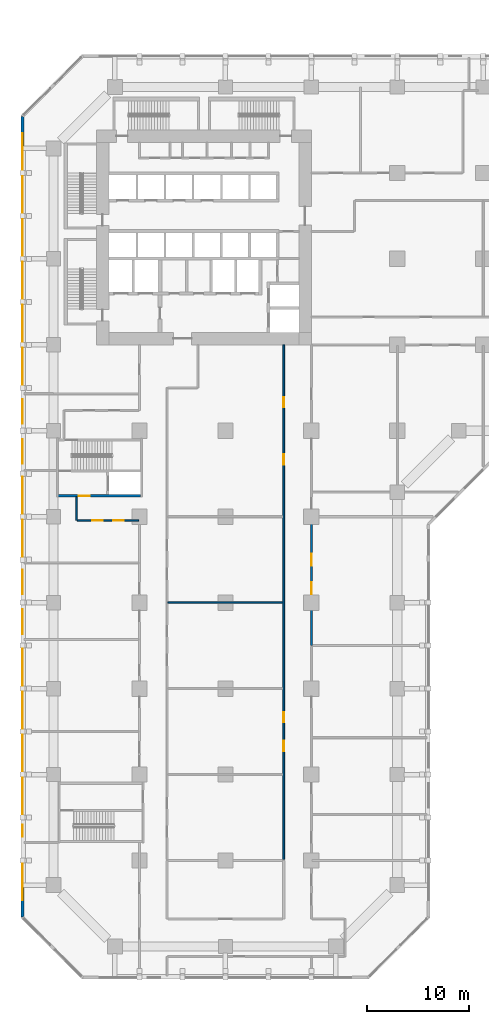
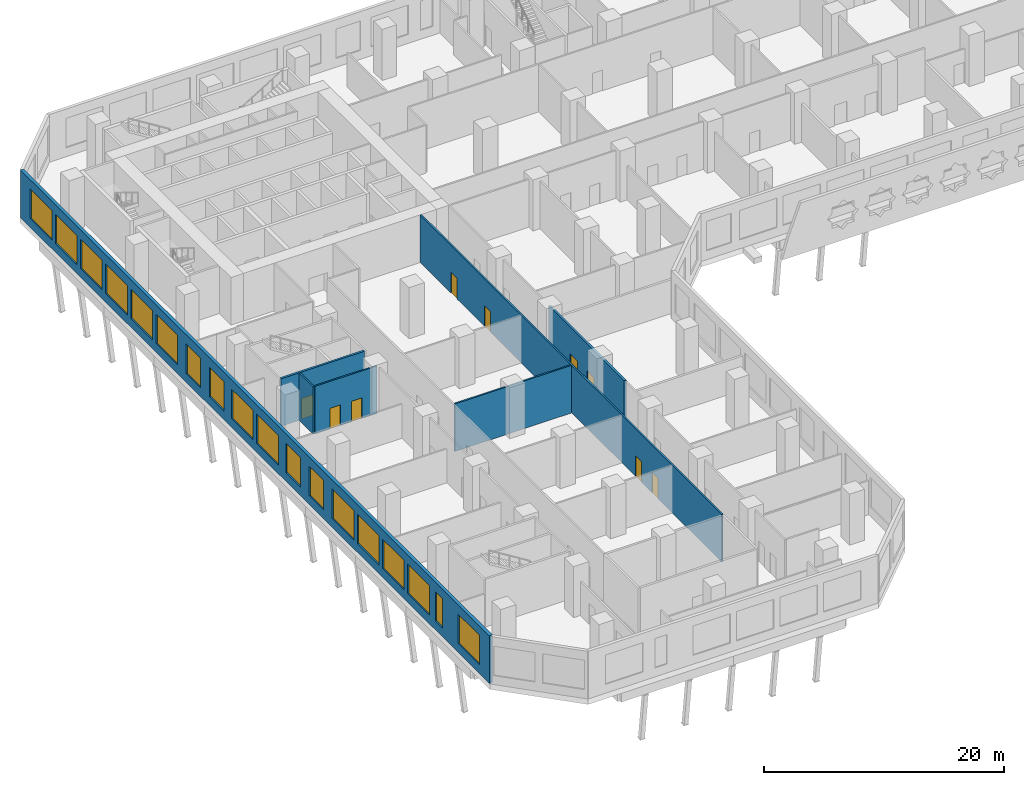
# One storey, part 5 of 21: 18 windows, 9 doors, 7 walls, 27 openings.
"""IFC4 building model written with IfcOpenShell, lengths in metres."""

from ifc_helpers import new_model, si_unit, direction, frame, frame_2d, origin, place, context, subcontext, project, spatial, rectangle, extrude, material, layer, layer_set, type_object, element, fill, save


model = new_model("IFC4")

# Units and contexts
model_context = context("Model", 3, precision=1e-05, world=origin(), true_north=direction((0.0, 1.0)))
body_context = subcontext(model_context, "Body", "Model", "MODEL_VIEW")
ifc_project = project(units=[si_unit("LENGTHUNIT", "METRE"), si_unit("AREAUNIT", "SQUARE_METRE"), si_unit("VOLUMEUNIT", "CUBIC_METRE"), si_unit("PLANEANGLEUNIT", "RADIAN"), si_unit("MASSUNIT", "GRAM", prefix="KILO")], contexts=[model_context])

# Site, building, storey
site_placement = place(None, origin())
site = spatial("IfcSite", under=ifc_project, at=site_placement, CompositionType="ELEMENT")
building_placement = place(site_placement, origin())
building = spatial("IfcBuilding", under=site, at=building_placement, Name="Kawkab Arch Medical Tower", CompositionType="ELEMENT")
storey_placement = place(building_placement, frame((0.0, 0.0, 23.800048828125)))
storey = spatial("IfcBuildingStorey", under=building, at=storey_placement, Name="L05", CompositionType="ELEMENT", Elevation=23.800048828125)

# Wall
ifc_material_1 = material(Name="Gypsum board partition on steel studs, mineral wool", Category="steel")
ifc_layer_1 = layer(ifc_material_1, 0.14990234375)
ifc_layer_set_1 = layer_set([ifc_layer_1], Name="Gypsum board partition on steel studs, mineral wool")
wall_type_1 = type_object("IfcWallType", Name="Partition 150", PredefinedType="PARTITIONING", material=ifc_layer_set_1)
wall_1_placement = place(storey_placement, frame((11.175048828125, -50.39990234375, 0.0), z_axis=(0.0, 0.0, 1.0), x_axis=(1.0, 0.0, 0.0)))
element("IfcWall", 1, at=wall_1_placement, inside=storey, type_object=wall_type_1, Name="Partition 150 w011", PredefinedType="PARTITIONING", context=body_context, shape_type="SweptSolid", body=[
    extrude(rectangle(XDim=11.25, YDim=0.14990234375, at=frame_2d((5.625, 0.0))), origin(), (0.0, 0.0, 1.0), 4.849853515625),
])

# Wall, openings, doors
wall_2_placement = place(storey_placement, frame((2.325927734375, -42.35009765625, 0.0), z_axis=(0.0, 0.0, 1.0), x_axis=(1.0, 0.0, 0.0)))
wall_2 = element("IfcWall", 2, at=wall_2_placement, inside=storey, type_object=wall_type_1, Name="Partition 150 w013", PredefinedType="PARTITIONING", context=body_context, shape_type="SweptSolid", body=[
    extrude(rectangle(XDim=5.9990234375, YDim=0.14990234375, at=frame_2d((2.99951171875, 0.0))), origin(), (0.0, 0.0, 1.0), 4.849853515625),
])
opening_1_placement = place(wall_2_placement, frame((3.52392578125, 0.0, 0.0)))
opening_1 = element("IfcOpeningElement", 3, at=opening_1_placement, cuts=wall_2, Name="Opening P05-034", PredefinedType="OPENING", context=body_context, shape_type="SweptSolid", body=[
    extrude(rectangle(XDim=1.0, YDim=2.10009765625, at=frame_2d((0.5, 1.050048828125))), frame((0.0, 0.0849609375, 0.0), z_axis=(0.0, -1.0, 0.0), x_axis=(1.0, 0.0, 0.0)), (0.0, 0.0, 1.0), 0.169921875),
])
opening_2_placement = place(wall_2_placement, frame((1.47509765625, 0.0, 0.0)))
opening_2 = element("IfcOpeningElement", 4, at=opening_2_placement, cuts=wall_2, Name="Opening P05-035", PredefinedType="OPENING", context=body_context, shape_type="SweptSolid", body=[
    extrude(rectangle(XDim=1.0, YDim=2.10009765625, at=frame_2d((0.5, 1.050048828125))), frame((0.0, 0.0849609375, 0.0), z_axis=(0.0, -1.0, 0.0), x_axis=(1.0, 0.0, 0.0)), (0.0, 0.0, 1.0), 0.169921875),
])
ifc_material_2 = material(Name="Hollow metal door leaf")
door_type_1 = type_object("IfcDoorType", Name="Single door 1000x2100 FD30S", OperationType="NOTDEFINED", PredefinedType="DOOR", material=ifc_material_2)
door_1_placement = place(opening_1_placement, origin())
door_1 = element("IfcDoor", 5, at=door_1_placement, inside=storey, type_object=door_type_1, Name="Door P05-034", OperationType="SINGLE_SWING_LEFT", OverallHeight=2.10009765625, OverallWidth=1.0, PredefinedType="DOOR", context=body_context, shape_type="SweptSolid", body=[
    extrude(rectangle(XDim=1.0, YDim=2.10009765625, at=frame_2d((0.5, 1.050048828125))), frame((0.0, 0.02490234375, 0.0), z_axis=(0.0, -1.0, 0.0), x_axis=(1.0, 0.0, 0.0)), (0.0, 0.0, 1.0), 0.050048828125),
])
fill(opening_1, door_1)
door_2_placement = place(opening_2_placement, origin())
door_2 = element("IfcDoor", 6, at=door_2_placement, inside=storey, type_object=door_type_1, Name="Door P05-035", OperationType="SINGLE_SWING_RIGHT", OverallHeight=2.10009765625, OverallWidth=1.0, PredefinedType="DOOR", context=body_context, shape_type="SweptSolid", body=[
    extrude(rectangle(XDim=1.0, YDim=2.10009765625, at=frame_2d((0.5, 1.050048828125))), frame((0.0, 0.02490234375, 0.0), z_axis=(0.0, -1.0, 0.0), x_axis=(1.0, 0.0, 0.0)), (0.0, 0.0, 1.0), 0.050048828125),
])
fill(opening_2, door_2)

# Wall
wall_3_placement = place(storey_placement, frame((2.25, -42.347900390625, 0.0), z_axis=(0.0, 0.0, 1.0), x_axis=(0.0, 1.0, 0.0)))
element("IfcWall", 7, at=wall_3_placement, inside=storey, type_object=wall_type_1, Name="Partition 150 w035", PredefinedType="PARTITIONING", context=body_context, shape_type="SweptSolid", body=[
    extrude(rectangle(XDim=2.2978515625, YDim=0.14990234375, at=frame_2d((1.14892578125, 0.0))), origin(), (0.0, 0.0, 1.0), 4.849853515625),
])

# Wall, openings, doors
wall_4_placement = place(storey_placement, frame((22.5, -75.5, 0.0), z_axis=(0.0, 0.0, 1.0), x_axis=(0.0, 1.0, 0.0)))
wall_4 = element("IfcWall", 8, at=wall_4_placement, inside=storey, type_object=wall_type_1, Name="Partition 150 w042", PredefinedType="PARTITIONING", context=body_context, shape_type="SweptSolid", body=[
    extrude(rectangle(XDim=50.300048828125, YDim=0.14990234375, at=frame_2d((25.14990234375, 0.0))), origin(), (0.0, 0.0, 1.0), 4.849853515625),
])
opening_3_placement = place(wall_4_placement, frame((38.60009765625, 0.0, 0.0)))
opening_3 = element("IfcOpeningElement", 9, at=opening_3_placement, cuts=wall_4, Name="Opening P05-044", PredefinedType="OPENING", context=body_context, shape_type="SweptSolid", body=[
    extrude(rectangle(XDim=1.0, YDim=2.10009765625, at=frame_2d((0.5, 1.050048828125))), frame((0.0, 0.0849609375, 0.0), z_axis=(0.0, -1.0, 0.0), x_axis=(1.0, 0.0, 0.0)), (0.0, 0.0, 1.0), 0.169921875),
])
opening_4_placement = place(wall_4_placement, frame((44.199951171875, 0.0, 0.0)))
opening_4 = element("IfcOpeningElement", 10, at=opening_4_placement, cuts=wall_4, Name="Opening P05-045", PredefinedType="OPENING", context=body_context, shape_type="SweptSolid", body=[
    extrude(rectangle(XDim=1.0, YDim=2.10009765625, at=frame_2d((0.5, 1.050048828125))), frame((0.0, 0.0849609375, 0.0), z_axis=(0.0, -1.0, 0.0), x_axis=(1.0, 0.0, 0.0)), (0.0, 0.0, 1.0), 0.169921875),
])
opening_5_placement = place(wall_4_placement, frame((10.60009765625, 0.0, 0.0)))
opening_5 = element("IfcOpeningElement", 11, at=opening_5_placement, cuts=wall_4, Name="Opening P05-050", PredefinedType="OPENING", context=body_context, shape_type="SweptSolid", body=[
    extrude(rectangle(XDim=1.0, YDim=2.10009765625, at=frame_2d((0.5, 1.050048828125))), frame((0.0, 0.0849609375, 0.0), z_axis=(0.0, -1.0, 0.0), x_axis=(1.0, 0.0, 0.0)), (0.0, 0.0, 1.0), 0.169921875),
])
opening_6_placement = place(wall_4_placement, frame((13.39990234375, 0.0, 0.0)))
opening_6 = element("IfcOpeningElement", 12, at=opening_6_placement, cuts=wall_4, Name="Opening P05-051", PredefinedType="OPENING", context=body_context, shape_type="SweptSolid", body=[
    extrude(rectangle(XDim=1.0, YDim=2.10009765625, at=frame_2d((0.5, 1.050048828125))), frame((0.0, 0.0849609375, 0.0), z_axis=(0.0, -1.0, 0.0), x_axis=(1.0, 0.0, 0.0)), (0.0, 0.0, 1.0), 0.169921875),
])
door_3_placement = place(opening_3_placement, origin())
door_3 = element("IfcDoor", 13, at=door_3_placement, inside=storey, type_object=door_type_1, Name="Door P05-044", OperationType="SINGLE_SWING_RIGHT", OverallHeight=2.10009765625, OverallWidth=1.0, PredefinedType="DOOR", context=body_context, shape_type="SweptSolid", body=[
    extrude(rectangle(XDim=1.0, YDim=2.10009765625, at=frame_2d((0.5, 1.050048828125))), frame((0.0, 0.02490234375, 0.0), z_axis=(0.0, -1.0, 0.0), x_axis=(1.0, 0.0, 0.0)), (0.0, 0.0, 1.0), 0.050048828125),
])
fill(opening_3, door_3)
door_4_placement = place(opening_4_placement, origin())
door_4 = element("IfcDoor", 14, at=door_4_placement, inside=storey, type_object=door_type_1, Name="Door P05-045", OperationType="SINGLE_SWING_RIGHT", OverallHeight=2.10009765625, OverallWidth=1.0, PredefinedType="DOOR", context=body_context, shape_type="SweptSolid", body=[
    extrude(rectangle(XDim=1.0, YDim=2.10009765625, at=frame_2d((0.5, 1.050048828125))), frame((0.0, 0.02490234375, 0.0), z_axis=(0.0, -1.0, 0.0), x_axis=(1.0, 0.0, 0.0)), (0.0, 0.0, 1.0), 0.050048828125),
])
fill(opening_4, door_4)
door_5_placement = place(opening_5_placement, origin())
door_5 = element("IfcDoor", 15, at=door_5_placement, inside=storey, type_object=door_type_1, Name="Door P05-050", OperationType="SINGLE_SWING_LEFT", OverallHeight=2.10009765625, OverallWidth=1.0, PredefinedType="DOOR", context=body_context, shape_type="SweptSolid", body=[
    extrude(rectangle(XDim=1.0, YDim=2.10009765625, at=frame_2d((0.5, 1.050048828125))), frame((0.0, 0.02490234375, 0.0), z_axis=(0.0, -1.0, 0.0), x_axis=(1.0, 0.0, 0.0)), (0.0, 0.0, 1.0), 0.050048828125),
])
fill(opening_5, door_5)
door_6_placement = place(opening_6_placement, origin())
door_6 = element("IfcDoor", 16, at=door_6_placement, inside=storey, type_object=door_type_1, Name="Door P05-051", OperationType="SINGLE_SWING_LEFT", OverallHeight=2.10009765625, OverallWidth=1.0, PredefinedType="DOOR", context=body_context, shape_type="SweptSolid", body=[
    extrude(rectangle(XDim=1.0, YDim=2.10009765625, at=frame_2d((0.5, 1.050048828125))), frame((0.0, 0.02490234375, 0.0), z_axis=(0.0, -1.0, 0.0), x_axis=(1.0, 0.0, 0.0)), (0.0, 0.0, 1.0), 0.050048828125),
])
fill(opening_6, door_6)

# Wall, openings, windows
ifc_material_3 = material(Name="Bronze clad insulated wall panel")
ifc_layer_2 = layer(ifc_material_3, 0.300048828125)
ifc_layer_set_2 = layer_set([ifc_layer_2], Name="Bronze clad insulated wall panel")
wall_type_2 = type_object("IfcWallType", Name="Podium external wall 300", PredefinedType="SOLIDWALL", material=ifc_layer_set_2)
wall_5_placement = place(storey_placement, frame((-3.050048828125, -2.862060546875, 0.0), z_axis=(0.0, 0.0, 1.0), x_axis=(0.0, -1.0, 0.0)))
wall_5 = element("IfcWall", 17, at=wall_5_placement, inside=storey, type_object=wall_type_2, Name="Podium external wall L05 R02", PredefinedType="SOLIDWALL", context=body_context, shape_type="SweptSolid", body=[
    extrude(rectangle(XDim=78.27587890625, YDim=0.300048828125, at=frame_2d((39.137939453125, 0.0))), origin(), (0.0, 0.0, 1.0), 4.849853515625),
])
opening_7_placement = place(wall_5_placement, frame((1.637939453125, 0.0, 0.89990234375)))
opening_7 = element("IfcOpeningElement", 18, at=opening_7_placement, cuts=wall_5, Name="Opening PBW360-30-S9", PredefinedType="OPENING", context=body_context, shape_type="SweptSolid", body=[
    extrude(rectangle(XDim=3.60009765625, YDim=3.0, at=frame_2d((1.800048828125, 1.5))), frame((0.0, 0.159912109375, 0.0), z_axis=(0.0, -1.0, 0.0), x_axis=(1.0, 0.0, 0.0)), (0.0, 0.0, 1.0), 0.320068359375),
])
opening_8_placement = place(wall_5_placement, frame((5.837890625, 0.0, 0.89990234375)))
opening_8 = element("IfcOpeningElement", 19, at=opening_8_placement, cuts=wall_5, Name="Opening PBW360-30-S9", PredefinedType="OPENING", context=body_context, shape_type="SweptSolid", body=[
    extrude(rectangle(XDim=3.60009765625, YDim=3.0, at=frame_2d((1.800048828125, 1.5))), frame((0.0, 0.159912109375, 0.0), z_axis=(0.0, -1.0, 0.0), x_axis=(1.0, 0.0, 0.0)), (0.0, 0.0, 1.0), 0.320068359375),
])
opening_9_placement = place(wall_5_placement, frame((10.037841796875, 0.0, 0.89990234375)))
opening_9 = element("IfcOpeningElement", 20, at=opening_9_placement, cuts=wall_5, Name="Opening PBW360-30-S9", PredefinedType="OPENING", context=body_context, shape_type="SweptSolid", body=[
    extrude(rectangle(XDim=3.60009765625, YDim=3.0, at=frame_2d((1.800048828125, 1.5))), frame((0.0, 0.159912109375, 0.0), z_axis=(0.0, -1.0, 0.0), x_axis=(1.0, 0.0, 0.0)), (0.0, 0.0, 1.0), 0.320068359375),
])
opening_10_placement = place(wall_5_placement, frame((14.23779296875, 0.0, 0.89990234375)))
opening_10 = element("IfcOpeningElement", 21, at=opening_10_placement, cuts=wall_5, Name="Opening PBW360-30-S9", PredefinedType="OPENING", context=body_context, shape_type="SweptSolid", body=[
    extrude(rectangle(XDim=3.60009765625, YDim=3.0, at=frame_2d((1.800048828125, 1.5))), frame((0.0, 0.159912109375, 0.0), z_axis=(0.0, -1.0, 0.0), x_axis=(1.0, 0.0, 0.0)), (0.0, 0.0, 1.0), 0.320068359375),
])
opening_11_placement = place(wall_5_placement, frame((18.43798828125, 0.0, 0.89990234375)))
opening_11 = element("IfcOpeningElement", 22, at=opening_11_placement, cuts=wall_5, Name="Opening PBW360-30-S9", PredefinedType="OPENING", context=body_context, shape_type="SweptSolid", body=[
    extrude(rectangle(XDim=3.60009765625, YDim=3.0, at=frame_2d((1.800048828125, 1.5))), frame((0.0, 0.159912109375, 0.0), z_axis=(0.0, -1.0, 0.0), x_axis=(1.0, 0.0, 0.0)), (0.0, 0.0, 1.0), 0.320068359375),
])
opening_12_placement = place(wall_5_placement, frame((22.637939453125, 0.0, 0.89990234375)))
opening_12 = element("IfcOpeningElement", 23, at=opening_12_placement, cuts=wall_5, Name="Opening PBW360-30-S9", PredefinedType="OPENING", context=body_context, shape_type="SweptSolid", body=[
    extrude(rectangle(XDim=3.60009765625, YDim=3.0, at=frame_2d((1.800048828125, 1.5))), frame((0.0, 0.159912109375, 0.0), z_axis=(0.0, -1.0, 0.0), x_axis=(1.0, 0.0, 0.0)), (0.0, 0.0, 1.0), 0.320068359375),
])
opening_13_placement = place(wall_5_placement, frame((27.65283203125, 0.0, 0.89990234375)))
opening_13 = element("IfcOpeningElement", 24, at=opening_13_placement, cuts=wall_5, Name="Opening PBW240-30-S9", PredefinedType="OPENING", context=body_context, shape_type="SweptSolid", body=[
    extrude(rectangle(XDim=2.39990234375, YDim=3.0, at=frame_2d((1.199951171875, 1.5))), frame((0.0, 0.159912109375, 0.0), z_axis=(0.0, -1.0, 0.0), x_axis=(1.0, 0.0, 0.0)), (0.0, 0.0, 1.0), 0.320068359375),
])
opening_14_placement = place(wall_5_placement, frame((31.552978515625, 0.0, 0.89990234375)))
opening_14 = element("IfcOpeningElement", 25, at=opening_14_placement, cuts=wall_5, Name="Opening PBW240-30-S9", PredefinedType="OPENING", context=body_context, shape_type="SweptSolid", body=[
    extrude(rectangle(XDim=2.39990234375, YDim=3.0, at=frame_2d((1.199951171875, 1.5))), frame((0.0, 0.159912109375, 0.0), z_axis=(0.0, -1.0, 0.0), x_axis=(1.0, 0.0, 0.0)), (0.0, 0.0, 1.0), 0.320068359375),
])
opening_15_placement = place(wall_5_placement, frame((35.23779296875, 0.0, 0.89990234375)))
opening_15 = element("IfcOpeningElement", 26, at=opening_15_placement, cuts=wall_5, Name="Opening PBW360-30-S9", PredefinedType="OPENING", context=body_context, shape_type="SweptSolid", body=[
    extrude(rectangle(XDim=3.60009765625, YDim=3.0, at=frame_2d((1.800048828125, 1.5))), frame((0.0, 0.159912109375, 0.0), z_axis=(0.0, -1.0, 0.0), x_axis=(1.0, 0.0, 0.0)), (0.0, 0.0, 1.0), 0.320068359375),
])
opening_16_placement = place(wall_5_placement, frame((39.43798828125, 0.0, 0.89990234375)))
opening_16 = element("IfcOpeningElement", 27, at=opening_16_placement, cuts=wall_5, Name="Opening PBW360-30-S9", PredefinedType="OPENING", context=body_context, shape_type="SweptSolid", body=[
    extrude(rectangle(XDim=3.60009765625, YDim=3.0, at=frame_2d((1.800048828125, 1.5))), frame((0.0, 0.159912109375, 0.0), z_axis=(0.0, -1.0, 0.0), x_axis=(1.0, 0.0, 0.0)), (0.0, 0.0, 1.0), 0.320068359375),
])
opening_17_placement = place(wall_5_placement, frame((44.322998046875, 0.0, 0.89990234375)))
opening_17 = element("IfcOpeningElement", 28, at=opening_17_placement, cuts=wall_5, Name="Opening PBW240-30-S9", PredefinedType="OPENING", context=body_context, shape_type="SweptSolid", body=[
    extrude(rectangle(XDim=2.39990234375, YDim=3.0, at=frame_2d((1.199951171875, 1.5))), frame((0.0, 0.159912109375, 0.0), z_axis=(0.0, -1.0, 0.0), x_axis=(1.0, 0.0, 0.0)), (0.0, 0.0, 1.0), 0.320068359375),
])
opening_18_placement = place(wall_5_placement, frame((48.202880859375, 0.0, 0.89990234375)))
opening_18 = element("IfcOpeningElement", 29, at=opening_18_placement, cuts=wall_5, Name="Opening PBW240-30-S9", PredefinedType="OPENING", context=body_context, shape_type="SweptSolid", body=[
    extrude(rectangle(XDim=2.39990234375, YDim=3.0, at=frame_2d((1.199951171875, 1.5))), frame((0.0, 0.159912109375, 0.0), z_axis=(0.0, -1.0, 0.0), x_axis=(1.0, 0.0, 0.0)), (0.0, 0.0, 1.0), 0.320068359375),
])
opening_19_placement = place(wall_5_placement, frame((52.037841796875, 0.0, 0.89990234375)))
opening_19 = element("IfcOpeningElement", 30, at=opening_19_placement, cuts=wall_5, Name="Opening PBW360-30-S9", PredefinedType="OPENING", context=body_context, shape_type="SweptSolid", body=[
    extrude(rectangle(XDim=3.60009765625, YDim=3.0, at=frame_2d((1.800048828125, 1.5))), frame((0.0, 0.159912109375, 0.0), z_axis=(0.0, -1.0, 0.0), x_axis=(1.0, 0.0, 0.0)), (0.0, 0.0, 1.0), 0.320068359375),
])
opening_20_placement = place(wall_5_placement, frame((56.23779296875, 0.0, 0.89990234375)))
opening_20 = element("IfcOpeningElement", 31, at=opening_20_placement, cuts=wall_5, Name="Opening PBW360-30-S9", PredefinedType="OPENING", context=body_context, shape_type="SweptSolid", body=[
    extrude(rectangle(XDim=3.60009765625, YDim=3.0, at=frame_2d((1.800048828125, 1.5))), frame((0.0, 0.159912109375, 0.0), z_axis=(0.0, -1.0, 0.0), x_axis=(1.0, 0.0, 0.0)), (0.0, 0.0, 1.0), 0.320068359375),
])
opening_21_placement = place(wall_5_placement, frame((60.43798828125, 0.0, 0.89990234375)))
opening_21 = element("IfcOpeningElement", 32, at=opening_21_placement, cuts=wall_5, Name="Opening PBW360-30-S9", PredefinedType="OPENING", context=body_context, shape_type="SweptSolid", body=[
    extrude(rectangle(XDim=3.60009765625, YDim=3.0, at=frame_2d((1.800048828125, 1.5))), frame((0.0, 0.159912109375, 0.0), z_axis=(0.0, -1.0, 0.0), x_axis=(1.0, 0.0, 0.0)), (0.0, 0.0, 1.0), 0.320068359375),
])
opening_22_placement = place(wall_5_placement, frame((64.637939453125, 0.0, 0.89990234375)))
opening_22 = element("IfcOpeningElement", 33, at=opening_22_placement, cuts=wall_5, Name="Opening PBW360-30-S9", PredefinedType="OPENING", context=body_context, shape_type="SweptSolid", body=[
    extrude(rectangle(XDim=3.60009765625, YDim=3.0, at=frame_2d((1.800048828125, 1.5))), frame((0.0, 0.159912109375, 0.0), z_axis=(0.0, -1.0, 0.0), x_axis=(1.0, 0.0, 0.0)), (0.0, 0.0, 1.0), 0.320068359375),
])
opening_23_placement = place(wall_5_placement, frame((69.23779296875, 0.0, 0.89990234375)))
opening_23 = element("IfcOpeningElement", 34, at=opening_23_placement, cuts=wall_5, Name="Opening PBW120-30-S9", PredefinedType="OPENING", context=body_context, shape_type="SweptSolid", body=[
    extrude(rectangle(XDim=1.199951171875, YDim=3.0, at=frame_2d((0.60009765625, 1.5))), frame((0.0, 0.159912109375, 0.0), z_axis=(0.0, -1.0, 0.0), x_axis=(1.0, 0.0, 0.0)), (0.0, 0.0, 1.0), 0.320068359375),
])
opening_24_placement = place(wall_5_placement, frame((73.037841796875, 0.0, 0.89990234375)))
opening_24 = element("IfcOpeningElement", 35, at=opening_24_placement, cuts=wall_5, Name="Opening PBW360-30-S9", PredefinedType="OPENING", context=body_context, shape_type="SweptSolid", body=[
    extrude(rectangle(XDim=3.60009765625, YDim=3.0, at=frame_2d((1.800048828125, 1.5))), frame((0.0, 0.159912109375, 0.0), z_axis=(0.0, -1.0, 0.0), x_axis=(1.0, 0.0, 0.0)), (0.0, 0.0, 1.0), 0.320068359375),
])
ifc_material_4 = material(Name="Bronze anodised aluminium louvred window", Category="aluminium")
window_type_1 = type_object("IfcWindowType", Name="Podium band window 1200 x 3000 sill 900", PartitioningType="DOUBLE_PANEL_VERTICAL", PredefinedType="WINDOW", material=ifc_material_4)
window_1_placement = place(opening_23_placement, origin())
window_1 = element("IfcWindow", 36, at=window_1_placement, inside=storey, type_object=window_type_1, Name="Band window L05 R02.17", OverallHeight=3.0, OverallWidth=1.199951171875, PartitioningType="SINGLE_PANEL", PredefinedType="WINDOW", context=body_context, shape_type="SweptSolid", body=[
    extrude(rectangle(XDim=1.199951171875, YDim=3.0, at=frame_2d((0.60009765625, 1.5))), frame((0.0, 0.030029296875, 0.0), z_axis=(0.0, -1.0, 0.0), x_axis=(1.0, 0.0, 0.0)), (0.0, 0.0, 1.0), 0.06005859375),
])
fill(opening_23, window_1)
ifc_material_5 = material(Name="Bronze anodised aluminium louvred window", Category="aluminium")
window_type_2 = type_object("IfcWindowType", Name="Podium band window 2400 x 3000 sill 900", PartitioningType="DOUBLE_PANEL_VERTICAL", PredefinedType="WINDOW", material=ifc_material_5)
window_2_placement = place(opening_13_placement, origin())
window_2 = element("IfcWindow", 37, at=window_2_placement, inside=storey, type_object=window_type_2, Name="Band window L05 R02.7", OverallHeight=3.0, OverallWidth=2.39990234375, PartitioningType="SINGLE_PANEL", PredefinedType="WINDOW", context=body_context, shape_type="SweptSolid", body=[
    extrude(rectangle(XDim=2.39990234375, YDim=3.0, at=frame_2d((1.199951171875, 1.5))), frame((0.0, 0.030029296875, 0.0), z_axis=(0.0, -1.0, 0.0), x_axis=(1.0, 0.0, 0.0)), (0.0, 0.0, 1.0), 0.06005859375),
])
fill(opening_13, window_2)
window_3_placement = place(opening_14_placement, origin())
window_3 = element("IfcWindow", 38, at=window_3_placement, inside=storey, type_object=window_type_2, Name="Band window L05 R02.8", OverallHeight=3.0, OverallWidth=2.39990234375, PartitioningType="SINGLE_PANEL", PredefinedType="WINDOW", context=body_context, shape_type="SweptSolid", body=[
    extrude(rectangle(XDim=2.39990234375, YDim=3.0, at=frame_2d((1.199951171875, 1.5))), frame((0.0, 0.030029296875, 0.0), z_axis=(0.0, -1.0, 0.0), x_axis=(1.0, 0.0, 0.0)), (0.0, 0.0, 1.0), 0.06005859375),
])
fill(opening_14, window_3)
window_4_placement = place(opening_17_placement, origin())
window_4 = element("IfcWindow", 39, at=window_4_placement, inside=storey, type_object=window_type_2, Name="Band window L05 R02.11", OverallHeight=3.0, OverallWidth=2.39990234375, PartitioningType="SINGLE_PANEL", PredefinedType="WINDOW", context=body_context, shape_type="SweptSolid", body=[
    extrude(rectangle(XDim=2.39990234375, YDim=3.0, at=frame_2d((1.199951171875, 1.5))), frame((0.0, 0.030029296875, 0.0), z_axis=(0.0, -1.0, 0.0), x_axis=(1.0, 0.0, 0.0)), (0.0, 0.0, 1.0), 0.06005859375),
])
fill(opening_17, window_4)
window_5_placement = place(opening_18_placement, origin())
window_5 = element("IfcWindow", 40, at=window_5_placement, inside=storey, type_object=window_type_2, Name="Band window L05 R02.12", OverallHeight=3.0, OverallWidth=2.39990234375, PartitioningType="SINGLE_PANEL", PredefinedType="WINDOW", context=body_context, shape_type="SweptSolid", body=[
    extrude(rectangle(XDim=2.39990234375, YDim=3.0, at=frame_2d((1.199951171875, 1.5))), frame((0.0, 0.030029296875, 0.0), z_axis=(0.0, -1.0, 0.0), x_axis=(1.0, 0.0, 0.0)), (0.0, 0.0, 1.0), 0.06005859375),
])
fill(opening_18, window_5)
ifc_material_6 = material(Name="Bronze anodised aluminium louvred window", Category="aluminium")
window_type_3 = type_object("IfcWindowType", Name="Podium band window 3600 x 3000 sill 900", PartitioningType="DOUBLE_PANEL_VERTICAL", PredefinedType="WINDOW", material=ifc_material_6)
window_6_placement = place(opening_7_placement, origin())
window_6 = element("IfcWindow", 41, at=window_6_placement, inside=storey, type_object=window_type_3, Name="Band window L05 R02.1", OverallHeight=3.0, OverallWidth=3.60009765625, PartitioningType="SINGLE_PANEL", PredefinedType="WINDOW", context=body_context, shape_type="SweptSolid", body=[
    extrude(rectangle(XDim=3.60009765625, YDim=3.0, at=frame_2d((1.800048828125, 1.5))), frame((0.0, 0.030029296875, 0.0), z_axis=(0.0, -1.0, 0.0), x_axis=(1.0, 0.0, 0.0)), (0.0, 0.0, 1.0), 0.06005859375),
])
fill(opening_7, window_6)
window_7_placement = place(opening_8_placement, origin())
window_7 = element("IfcWindow", 42, at=window_7_placement, inside=storey, type_object=window_type_3, Name="Band window L05 R02.2", OverallHeight=3.0, OverallWidth=3.60009765625, PartitioningType="SINGLE_PANEL", PredefinedType="WINDOW", context=body_context, shape_type="SweptSolid", body=[
    extrude(rectangle(XDim=3.60009765625, YDim=3.0, at=frame_2d((1.800048828125, 1.5))), frame((0.0, 0.030029296875, 0.0), z_axis=(0.0, -1.0, 0.0), x_axis=(1.0, 0.0, 0.0)), (0.0, 0.0, 1.0), 0.06005859375),
])
fill(opening_8, window_7)
window_8_placement = place(opening_9_placement, origin())
window_8 = element("IfcWindow", 43, at=window_8_placement, inside=storey, type_object=window_type_3, Name="Band window L05 R02.3", OverallHeight=3.0, OverallWidth=3.60009765625, PartitioningType="SINGLE_PANEL", PredefinedType="WINDOW", context=body_context, shape_type="SweptSolid", body=[
    extrude(rectangle(XDim=3.60009765625, YDim=3.0, at=frame_2d((1.800048828125, 1.5))), frame((0.0, 0.030029296875, 0.0), z_axis=(0.0, -1.0, 0.0), x_axis=(1.0, 0.0, 0.0)), (0.0, 0.0, 1.0), 0.06005859375),
])
fill(opening_9, window_8)
window_9_placement = place(opening_10_placement, origin())
window_9 = element("IfcWindow", 44, at=window_9_placement, inside=storey, type_object=window_type_3, Name="Band window L05 R02.4", OverallHeight=3.0, OverallWidth=3.60009765625, PartitioningType="SINGLE_PANEL", PredefinedType="WINDOW", context=body_context, shape_type="SweptSolid", body=[
    extrude(rectangle(XDim=3.60009765625, YDim=3.0, at=frame_2d((1.800048828125, 1.5))), frame((0.0, 0.030029296875, 0.0), z_axis=(0.0, -1.0, 0.0), x_axis=(1.0, 0.0, 0.0)), (0.0, 0.0, 1.0), 0.06005859375),
])
fill(opening_10, window_9)
window_10_placement = place(opening_11_placement, origin())
window_10 = element("IfcWindow", 45, at=window_10_placement, inside=storey, type_object=window_type_3, Name="Band window L05 R02.5", OverallHeight=3.0, OverallWidth=3.60009765625, PartitioningType="SINGLE_PANEL", PredefinedType="WINDOW", context=body_context, shape_type="SweptSolid", body=[
    extrude(rectangle(XDim=3.60009765625, YDim=3.0, at=frame_2d((1.800048828125, 1.5))), frame((0.0, 0.030029296875, 0.0), z_axis=(0.0, -1.0, 0.0), x_axis=(1.0, 0.0, 0.0)), (0.0, 0.0, 1.0), 0.06005859375),
])
fill(opening_11, window_10)
window_11_placement = place(opening_12_placement, origin())
window_11 = element("IfcWindow", 46, at=window_11_placement, inside=storey, type_object=window_type_3, Name="Band window L05 R02.6", OverallHeight=3.0, OverallWidth=3.60009765625, PartitioningType="SINGLE_PANEL", PredefinedType="WINDOW", context=body_context, shape_type="SweptSolid", body=[
    extrude(rectangle(XDim=3.60009765625, YDim=3.0, at=frame_2d((1.800048828125, 1.5))), frame((0.0, 0.030029296875, 0.0), z_axis=(0.0, -1.0, 0.0), x_axis=(1.0, 0.0, 0.0)), (0.0, 0.0, 1.0), 0.06005859375),
])
fill(opening_12, window_11)
window_12_placement = place(opening_15_placement, origin())
window_12 = element("IfcWindow", 47, at=window_12_placement, inside=storey, type_object=window_type_3, Name="Band window L05 R02.9", OverallHeight=3.0, OverallWidth=3.60009765625, PartitioningType="SINGLE_PANEL", PredefinedType="WINDOW", context=body_context, shape_type="SweptSolid", body=[
    extrude(rectangle(XDim=3.60009765625, YDim=3.0, at=frame_2d((1.800048828125, 1.5))), frame((0.0, 0.030029296875, 0.0), z_axis=(0.0, -1.0, 0.0), x_axis=(1.0, 0.0, 0.0)), (0.0, 0.0, 1.0), 0.06005859375),
])
fill(opening_15, window_12)
window_13_placement = place(opening_16_placement, origin())
window_13 = element("IfcWindow", 48, at=window_13_placement, inside=storey, type_object=window_type_3, Name="Band window L05 R02.10", OverallHeight=3.0, OverallWidth=3.60009765625, PartitioningType="SINGLE_PANEL", PredefinedType="WINDOW", context=body_context, shape_type="SweptSolid", body=[
    extrude(rectangle(XDim=3.60009765625, YDim=3.0, at=frame_2d((1.800048828125, 1.5))), frame((0.0, 0.030029296875, 0.0), z_axis=(0.0, -1.0, 0.0), x_axis=(1.0, 0.0, 0.0)), (0.0, 0.0, 1.0), 0.06005859375),
])
fill(opening_16, window_13)
window_14_placement = place(opening_19_placement, origin())
window_14 = element("IfcWindow", 49, at=window_14_placement, inside=storey, type_object=window_type_3, Name="Band window L05 R02.13", OverallHeight=3.0, OverallWidth=3.60009765625, PartitioningType="SINGLE_PANEL", PredefinedType="WINDOW", context=body_context, shape_type="SweptSolid", body=[
    extrude(rectangle(XDim=3.60009765625, YDim=3.0, at=frame_2d((1.800048828125, 1.5))), frame((0.0, 0.030029296875, 0.0), z_axis=(0.0, -1.0, 0.0), x_axis=(1.0, 0.0, 0.0)), (0.0, 0.0, 1.0), 0.06005859375),
])
fill(opening_19, window_14)
window_15_placement = place(opening_20_placement, origin())
window_15 = element("IfcWindow", 50, at=window_15_placement, inside=storey, type_object=window_type_3, Name="Band window L05 R02.14", OverallHeight=3.0, OverallWidth=3.60009765625, PartitioningType="SINGLE_PANEL", PredefinedType="WINDOW", context=body_context, shape_type="SweptSolid", body=[
    extrude(rectangle(XDim=3.60009765625, YDim=3.0, at=frame_2d((1.800048828125, 1.5))), frame((0.0, 0.030029296875, 0.0), z_axis=(0.0, -1.0, 0.0), x_axis=(1.0, 0.0, 0.0)), (0.0, 0.0, 1.0), 0.06005859375),
])
fill(opening_20, window_15)
window_16_placement = place(opening_21_placement, origin())
window_16 = element("IfcWindow", 51, at=window_16_placement, inside=storey, type_object=window_type_3, Name="Band window L05 R02.15", OverallHeight=3.0, OverallWidth=3.60009765625, PartitioningType="SINGLE_PANEL", PredefinedType="WINDOW", context=body_context, shape_type="SweptSolid", body=[
    extrude(rectangle(XDim=3.60009765625, YDim=3.0, at=frame_2d((1.800048828125, 1.5))), frame((0.0, 0.030029296875, 0.0), z_axis=(0.0, -1.0, 0.0), x_axis=(1.0, 0.0, 0.0)), (0.0, 0.0, 1.0), 0.06005859375),
])
fill(opening_21, window_16)
window_17_placement = place(opening_22_placement, origin())
window_17 = element("IfcWindow", 52, at=window_17_placement, inside=storey, type_object=window_type_3, Name="Band window L05 R02.16", OverallHeight=3.0, OverallWidth=3.60009765625, PartitioningType="SINGLE_PANEL", PredefinedType="WINDOW", context=body_context, shape_type="SweptSolid", body=[
    extrude(rectangle(XDim=3.60009765625, YDim=3.0, at=frame_2d((1.800048828125, 1.5))), frame((0.0, 0.030029296875, 0.0), z_axis=(0.0, -1.0, 0.0), x_axis=(1.0, 0.0, 0.0)), (0.0, 0.0, 1.0), 0.06005859375),
])
fill(opening_22, window_17)
window_18_placement = place(opening_24_placement, origin())
window_18 = element("IfcWindow", 53, at=window_18_placement, inside=storey, type_object=window_type_3, Name="Band window L05 R02.18", OverallHeight=3.0, OverallWidth=3.60009765625, PartitioningType="SINGLE_PANEL", PredefinedType="WINDOW", context=body_context, shape_type="SweptSolid", body=[
    extrude(rectangle(XDim=3.60009765625, YDim=3.0, at=frame_2d((1.800048828125, 1.5))), frame((0.0, 0.030029296875, 0.0), z_axis=(0.0, -1.0, 0.0), x_axis=(1.0, 0.0, 0.0)), (0.0, 0.0, 1.0), 0.06005859375),
])
fill(opening_24, window_18)

# Wall, openings, doors
ifc_material_7 = material(Name="Fire-rated gypsum board partition on steel studs", Category="steel")
ifc_layer_3 = layer(ifc_material_7, 0.199951171875)
ifc_layer_set_3 = layer_set([ifc_layer_3], Name="Fire-rated gypsum board partition on steel studs")
wall_type_3 = type_object("IfcWallType", Name="Protected partition 200", PredefinedType="PARTITIONING", material=ifc_layer_set_3)
wall_6_placement = place(storey_placement, frame((25.199951171875, -54.60009765625, 0.0), z_axis=(0.0, 0.0, 1.0), x_axis=(0.0, 1.0, 0.0)))
wall_6 = element("IfcWall", 54, at=wall_6_placement, inside=storey, type_object=wall_type_3, Name="Protected partition 200 w078", PredefinedType="PARTITIONING", context=body_context, shape_type="SweptSolid", body=[
    extrude(rectangle(XDim=12.60009765625, YDim=0.199951171875, at=frame_2d((6.300048828125, 0.0))), origin(), (0.0, 0.0, 1.0), 4.849853515625),
])
opening_25_placement = place(wall_6_placement, frame((7.800048828125, 0.0, 0.0)))
opening_25 = element("IfcOpeningElement", 55, at=opening_25_placement, cuts=wall_6, Name="Opening P05-067", PredefinedType="OPENING", context=body_context, shape_type="SweptSolid", body=[
    extrude(rectangle(XDim=1.199951171875, YDim=2.10009765625, at=frame_2d((0.60009765625, 1.050048828125))), frame((0.0, 0.10986328125, 0.0), z_axis=(0.0, -1.0, 0.0), x_axis=(1.0, 0.0, 0.0)), (0.0, 0.0, 1.0), 0.219970703125),
])
opening_26_placement = place(wall_6_placement, frame((5.0, 0.0, 0.0)))
opening_26 = element("IfcOpeningElement", 56, at=opening_26_placement, cuts=wall_6, Name="Opening P05-068", PredefinedType="OPENING", context=body_context, shape_type="SweptSolid", body=[
    extrude(rectangle(XDim=1.199951171875, YDim=2.10009765625, at=frame_2d((0.60009765625, 1.050048828125))), frame((0.0, 0.10986328125, 0.0), z_axis=(0.0, -1.0, 0.0), x_axis=(1.0, 0.0, 0.0)), (0.0, 0.0, 1.0), 0.219970703125),
])
ifc_material_8 = material(Name="Hollow metal door leaf")
door_type_2 = type_object("IfcDoorType", Name="Single door 1200x2100 FD60", OperationType="NOTDEFINED", PredefinedType="DOOR", material=ifc_material_8)
door_7_placement = place(opening_25_placement, origin())
door_7 = element("IfcDoor", 57, at=door_7_placement, inside=storey, type_object=door_type_2, Name="Door P05-067", OperationType="SINGLE_SWING_LEFT", OverallHeight=2.10009765625, OverallWidth=1.199951171875, PredefinedType="DOOR", context=body_context, shape_type="SweptSolid", body=[
    extrude(rectangle(XDim=1.199951171875, YDim=2.10009765625, at=frame_2d((0.60009765625, 1.050048828125))), frame((0.0, 0.02490234375, 0.0), z_axis=(0.0, -1.0, 0.0), x_axis=(1.0, 0.0, 0.0)), (0.0, 0.0, 1.0), 0.050048828125),
])
fill(opening_25, door_7)
door_8_placement = place(opening_26_placement, origin())
door_8 = element("IfcDoor", 58, at=door_8_placement, inside=storey, type_object=door_type_2, Name="Door P05-068", OperationType="SINGLE_SWING_RIGHT", OverallHeight=2.10009765625, OverallWidth=1.199951171875, PredefinedType="DOOR", context=body_context, shape_type="SweptSolid", body=[
    extrude(rectangle(XDim=1.199951171875, YDim=2.10009765625, at=frame_2d((0.60009765625, 1.050048828125))), frame((0.0, 0.02490234375, 0.0), z_axis=(0.0, -1.0, 0.0), x_axis=(1.0, 0.0, 0.0)), (0.0, 0.0, 1.0), 0.050048828125),
])
fill(opening_26, door_8)

# Wall, opening, door
ifc_material_9 = material(Name="Concrete C50/60", Category="concrete")
ifc_layer_4 = layer(ifc_material_9, 0.199951171875)
ifc_layer_set_4 = layer_set([ifc_layer_4], Name="Concrete C50/60")
wall_type_4 = type_object("IfcWallType", Name="Stair enclosure wall 200 C50/60", PredefinedType="SHEAR", material=ifc_layer_set_4)
wall_7_placement = place(storey_placement, frame((0.449951171875, -39.949951171875, 0.0), z_axis=(0.0, 0.0, 1.0), x_axis=(1.0, 0.0, 0.0)))
wall_7 = element("IfcWall", 59, at=wall_7_placement, inside=storey, type_object=wall_type_4, Name="L05 stair enclosure wall", PredefinedType="SHEAR", context=body_context, shape_type="SweptSolid", body=[
    extrude(rectangle(XDim=8.050048828125, YDim=0.199951171875, at=frame_2d((4.02490234375, 0.0))), origin(), (0.0, 0.0, 1.0), 4.849853515625),
])
opening_27_placement = place(wall_7_placement, frame((2.0, 0.0, 0.0)))
opening_27 = element("IfcOpeningElement", 60, at=opening_27_placement, cuts=wall_7, Name="Opening FD", PredefinedType="OPENING", context=body_context, shape_type="SweptSolid", body=[
    extrude(rectangle(XDim=1.10009765625, YDim=2.10009765625, at=frame_2d((0.550048828125, 1.050048828125))), frame((0.0, 0.10986328125, 0.0), z_axis=(0.0, -1.0, 0.0), x_axis=(1.0, 0.0, 0.0)), (0.0, 0.0, 1.0), 0.219970703125),
])
ifc_material_10 = material(Name="Hollow metal fire door leaf")
door_type_3 = type_object("IfcDoorType", Name="Firefighting lobby door 1100", OperationType="SINGLE_SWING_LEFT", PredefinedType="DOOR", material=ifc_material_10)
door_9_placement = place(opening_27_placement, origin())
door_9 = element("IfcDoor", 61, at=door_9_placement, inside=storey, type_object=door_type_3, Name="L05 Service lift lobby door SV2", OperationType="SINGLE_SWING_LEFT", OverallHeight=2.10009765625, OverallWidth=1.10009765625, PredefinedType="DOOR", context=body_context, shape_type="SweptSolid", body=[
    extrude(rectangle(XDim=1.10009765625, YDim=2.10009765625, at=frame_2d((0.550048828125, 1.050048828125))), frame((0.0, 0.02490234375, 0.0), z_axis=(0.0, -1.0, 0.0), x_axis=(1.0, 0.0, 0.0)), (0.0, 0.0, 1.0), 0.050048828125),
])
fill(opening_27, door_9)

save(model, "model.ifc")
